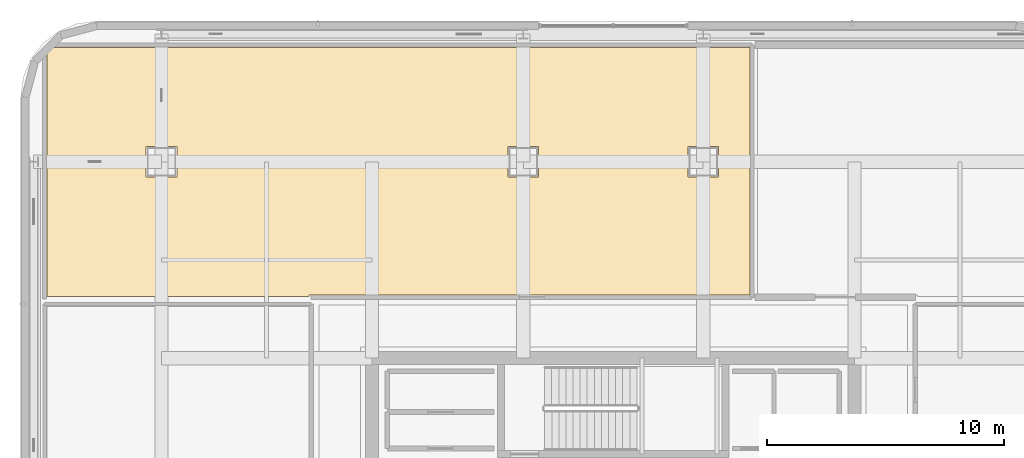
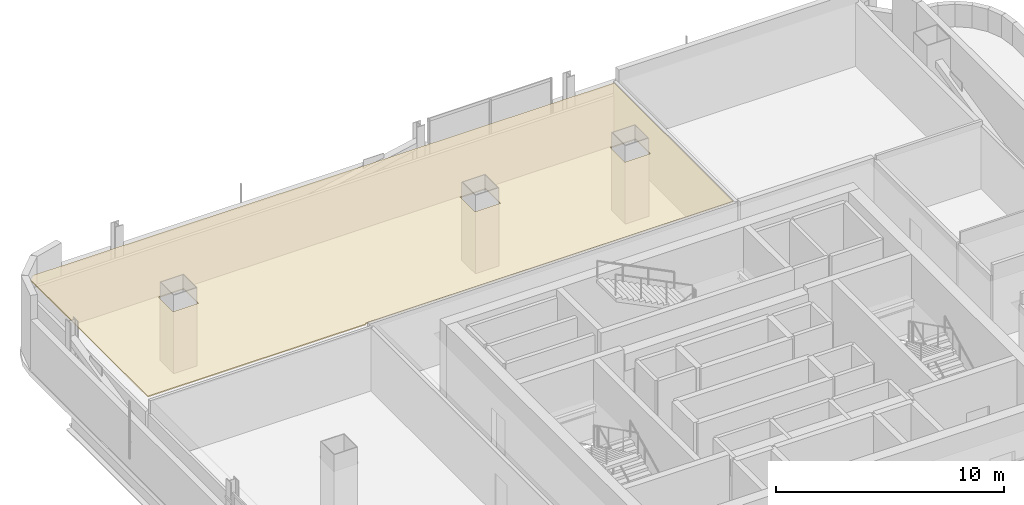
# One storey, part 29 of 31: 1 covering.
"""IFC4 building model written with IfcOpenShell, lengths in metres."""

import ifcopenshell
import ifcopenshell.guid

model = None  # the IFC model being written
_history = None  # IfcOwnerHistory: only IFC2X3 demands one
_inside = {}  # id of a spatial element -> (the spatial element, [elements in it])
_under = {}  # id of a project, library or spatial element -> (it, [spatial elements below it])
_declared = {}  # id of a project -> (the project, [libraries it declares])
_typed = {}  # id of a type object -> (the type object, [elements of that type])
_made_of = {}  # id of a material, layer set ... -> (it, [elements and type objects made of it])


def new_model(schema):
    """Start an empty IFC model of exactly this schema.

    Asked for "IFC4X3", IfcOpenShell would pick the latest addendum, in which some entities
    have other attributes; the version numbers below select the first issue.
    IFC2X3 requires an IfcOwnerHistory on every rooted entity: one is made here for all.
    """
    global model, _history
    if schema == "IFC4X3":
        model = ifcopenshell.file(schema_version=(4, 3, 0, 0))
    else:
        model = ifcopenshell.file(schema=schema)
    _inside.clear()
    _under.clear()
    _declared.clear()
    _typed.clear()
    _made_of.clear()
    _history = None
    if model.schema == "IFC2X3":
        org = make("IfcOrganization", Name="unknown")
        user = make(
            "IfcPersonAndOrganization",
            ThePerson=make("IfcPerson", FamilyName="unknown"),
            TheOrganization=org,
        )
        app = make(
            "IfcApplication",
            ApplicationDeveloper=org,
            Version="unknown",
            ApplicationFullName="unknown",
            ApplicationIdentifier="unknown",
        )
        _history = make(
            "IfcOwnerHistory",
            OwningUser=user,
            OwningApplication=app,
            ChangeAction="ADDED",
            CreationDate=0,
        )
    return model


def make(cls, **values):
    """One entity of the class cls with the attributes given. An attribute that is None is left unset."""
    return model.create_entity(
        cls, **{name: value for name, value in values.items() if value is not None}
    )


def rooted(cls, **values):
    """An entity with a GlobalId (a new one), such as an element, a storey or a relation."""
    return make(cls, GlobalId=ifcopenshell.guid.new(), OwnerHistory=_history, **values)


def si_unit(unit_type, name, prefix=None):
    """IfcSIUnit, for example si_unit("LENGTHUNIT", "METRE", prefix="MILLI")."""
    return make("IfcSIUnit", UnitType=unit_type, Prefix=prefix, Name=name)


def assignment(units):
    """IfcUnitAssignment: the units of a project."""
    return None if units is None else make("IfcUnitAssignment", Units=units)


def point(xyz):
    """IfcCartesianPoint."""
    return None if xyz is None else make("IfcCartesianPoint", Coordinates=xyz)


def direction(xyz):
    """IfcDirection."""
    return None if xyz is None else make("IfcDirection", DirectionRatios=xyz)


def frame(location, z_axis=None, x_axis=None):
    """IfcAxis2Placement3D, a coordinate frame: its origin and axes. An axis left out is left unset."""
    return make(
        "IfcAxis2Placement3D",
        Location=point(location),
        Axis=direction(z_axis),
        RefDirection=direction(x_axis),
    )


def origin():
    """The frame at (0, 0, 0) with its axes left unset."""
    return frame((0.0, 0.0, 0.0))


def place(relative_to, where):
    """IfcLocalPlacement: puts the frame where relative to a parent placement (None: the world)."""
    return make(
        "IfcLocalPlacement", PlacementRelTo=relative_to, RelativePlacement=where
    )


def context(
    kind, dimensions, precision=None, world=None, true_north=None, identifier=None
):
    """IfcGeometricRepresentationContext, for example the 3D "Model" context."""
    return make(
        "IfcGeometricRepresentationContext",
        ContextIdentifier=identifier,
        ContextType=kind,
        CoordinateSpaceDimension=dimensions,
        Precision=precision,
        WorldCoordinateSystem=world,
        TrueNorth=true_north,
    )


def subcontext(parent, identifier, kind, view, scale=None):
    """IfcGeometricRepresentationSubContext, for example "Body" below "Model"."""
    return make(
        "IfcGeometricRepresentationSubContext",
        ContextIdentifier=identifier,
        ContextType=kind,
        ParentContext=parent,
        TargetScale=scale,
        TargetView=view,
    )


def project(units=None, contexts=None):
    """IfcProject with its units and contexts."""
    return rooted(
        "IfcProject",
        Name="project",
        RepresentationContexts=contexts,
        UnitsInContext=assignment(units),
    )


def spatial(cls, under=None, at=None, **own):
    """A site, building, storey or space (cls), placed at a placement, below another one or the project."""
    s = rooted(cls, ObjectPlacement=at, **own)
    if under is not None:
        _under.setdefault(under.id(), (under, []))[1].append(s)
    return s


def polyline(points):
    """IfcPolyline through the points."""
    return make("IfcPolyline", Points=[point(p) for p in points])


def outline(outer, holes=None, kind="AREA"):
    """IfcArbitraryClosedProfileDef: a profile drawn as a closed curve; with holes, ...WithVoids."""
    if holes is None:
        return make("IfcArbitraryClosedProfileDef", ProfileType=kind, OuterCurve=outer)
    return make(
        "IfcArbitraryProfileDefWithVoids",
        ProfileType=kind,
        OuterCurve=outer,
        InnerCurves=holes,
    )


def extrude(swept, where, along, depth):
    """IfcExtrudedAreaSolid: the profile swept, set in the frame where, extruded along a direction by depth."""
    return make(
        "IfcExtrudedAreaSolid",
        SweptArea=swept,
        Position=where,
        ExtrudedDirection=direction(along),
        Depth=depth,
    )


def shape(context_of_items, identifier, shape_type, items):
    """IfcShapeRepresentation: the items that make up one representation, for example the "Body"."""
    return make(
        "IfcShapeRepresentation",
        ContextOfItems=context_of_items,
        RepresentationIdentifier=identifier,
        RepresentationType=shape_type,
        Items=items,
    )


def material(Name=None, Category=None):
    """IfcMaterial."""
    return make("IfcMaterial", Name=Name, Category=Category)


def layer(
    of_material, thickness, ventilated=None, Name=None, Category=None, Priority=None
):
    """IfcMaterialLayer: one layer of a wall or slab, of a material (None: an air gap)."""
    return make(
        "IfcMaterialLayer",
        Material=of_material,
        LayerThickness=thickness,
        IsVentilated=ventilated,
        Name=Name,
        Category=Category,
        Priority=Priority,
    )


def layer_set(layers, Name=None):
    """IfcMaterialLayerSet."""
    return make("IfcMaterialLayerSet", MaterialLayers=layers, LayerSetName=Name)


def made_of(thing, what):
    """Note that an element or type object is made of a material, layer set ...; save() writes the relation."""
    if what is not None:
        _made_of.setdefault(what.id(), (what, []))[1].append(thing)
    return thing


def type_object(cls, material=None, **own):
    """A type object (cls), such as IfcWallType, which elements share."""
    return made_of(rooted(cls, **own), material)


def element(
    cls,
    number,
    at=None,
    inside=None,
    cuts=None,
    type_object=None,
    material=None,
    context=None,
    identifier="Body",
    shape_type=None,
    held_by="IfcProductDefinitionShape",
    body=None,
    shapes=None,
    **own,
):
    """One element of the class cls, such as IfcWall. Its Tag is "e" and its number.

    at: its placement. inside: the storey or other place that contains it. cuts: it is an
    opening in that element (IfcRelVoidsElement). A single representation is given by context,
    identifier, shape_type and body (its items); several are given by shapes. held_by: the class
    of the entity that holds the representations. save() writes the other relations.
    """
    e = rooted(cls, Tag="e%d" % number, ObjectPlacement=at, **own)
    if body is not None:
        shapes = [shape(context, identifier, shape_type, body)]
    if shapes is not None:
        e.Representation = make(held_by, Representations=shapes)
    if inside is not None:
        _inside.setdefault(inside.id(), (inside, []))[1].append(e)
    if cuts is not None:
        rooted(
            "IfcRelVoidsElement", RelatingBuildingElement=cuts, RelatedOpeningElement=e
        )
    if type_object is not None:
        _typed.setdefault(type_object.id(), (type_object, []))[1].append(e)
    return made_of(e, material)


def aggregate(whole, parts):
    """IfcRelAggregates: a whole, such as a stair, and the parts it consists of."""
    return rooted("IfcRelAggregates", RelatingObject=whole, RelatedObjects=parts)


def save(model, path):
    """Write the relations noted so far, then the file.

    IfcRelAggregates (storeys below a building ...), IfcRelContainedInSpatialStructure (elements
    in a storey), IfcRelDefinesByType, IfcRelAssociatesMaterial and IfcRelDeclares: one each for
    every whole, place, type object, material and project.
    """
    for whole, parts in _under.values():
        aggregate(whole, parts)
    for where, things in _inside.values():
        rooted(
            "IfcRelContainedInSpatialStructure",
            RelatedElements=things,
            RelatingStructure=where,
        )
    for kind, things in _typed.values():
        rooted("IfcRelDefinesByType", RelatedObjects=things, RelatingType=kind)
    for what, things in _made_of.values():
        rooted("IfcRelAssociatesMaterial", RelatedObjects=things, RelatingMaterial=what)
    for by, libraries in _declared.values():
        rooted("IfcRelDeclares", RelatingContext=by, RelatedDefinitions=libraries)
    model.write(path)


model = new_model("IFC4")

# Units and contexts
model_context = context("Model", 3, precision=1e-05, world=origin(), true_north=direction((0.0, 1.0)))
body_context = subcontext(model_context, "Body", "Model", "MODEL_VIEW")
ifc_project = project(units=[si_unit("LENGTHUNIT", "METRE"), si_unit("AREAUNIT", "SQUARE_METRE"), si_unit("VOLUMEUNIT", "CUBIC_METRE"), si_unit("PLANEANGLEUNIT", "RADIAN"), si_unit("MASSUNIT", "GRAM", prefix="KILO")], contexts=[model_context])

# Site, building, storey
site_placement = place(None, origin())
site = spatial("IfcSite", under=ifc_project, at=site_placement, CompositionType="ELEMENT")
building_placement = place(site_placement, origin())
building = spatial("IfcBuilding", under=site, at=building_placement, Name="Punatoya Terracotta Tower", CompositionType="ELEMENT")
storey_placement = place(building_placement, frame((0.0, 0.0, 283.800048828125)))
storey = spatial("IfcBuildingStorey", under=building, at=storey_placement, Name="L67", CompositionType="ELEMENT", Elevation=283.800048828125)

# Covering
ifc_material = material(Name="Acoustic Mineral Fibre Ceiling")
ifc_layer = layer(ifc_material, 0.06005859375)
ifc_layer_set = layer_set([ifc_layer], Name="Acoustic Mineral Fibre Ceiling")
covering_type = type_object("IfcCoveringType", Name="COV-CEIL-60", PredefinedType="CEILING", material=ifc_layer_set)
covering_placement = place(storey_placement, frame((0.0, 0.0, 3.31005859375)))
element("IfcCovering", 1, at=covering_placement, inside=storey, type_object=covering_type, Name="L67 Barista Espresso Pantry Acoustic Ceiling", PredefinedType="CEILING", context=body_context, shape_type="SweptSolid", body=[
    extrude(outline(polyline([(-23.713623046875, 22.340087890625), (-23.841796875, 22.24169921875), (-23.93994140625, 22.113525390625), (-23.93994140625, 11.81005859375), (-12.8701171875, 11.81005859375), (-12.8701171875, 11.8701171875), (5.77392578125, 11.8701171875), (5.77392578125, 22.340087890625), (-23.713623046875, 22.340087890625)]), holes=[polyline([(4.449951171875, 16.85009765625), (3.14990234375, 16.85009765625), (3.14990234375, 18.14990234375), (4.449951171875, 18.14990234375), (4.449951171875, 16.85009765625)]), polyline([(-4.449951171875, 16.85009765625), (-4.449951171875, 18.14990234375), (-3.14990234375, 18.14990234375), (-3.14990234375, 16.85009765625), (-4.449951171875, 16.85009765625)]), polyline([(-19.75, 18.14990234375), (-18.449951171875, 18.14990234375), (-18.449951171875, 16.85009765625), (-19.75, 16.85009765625), (-19.75, 18.14990234375)])]), origin(), (0.0, 0.0, 1.0), 0.059814453125),
])

save(model, "model.ifc")
